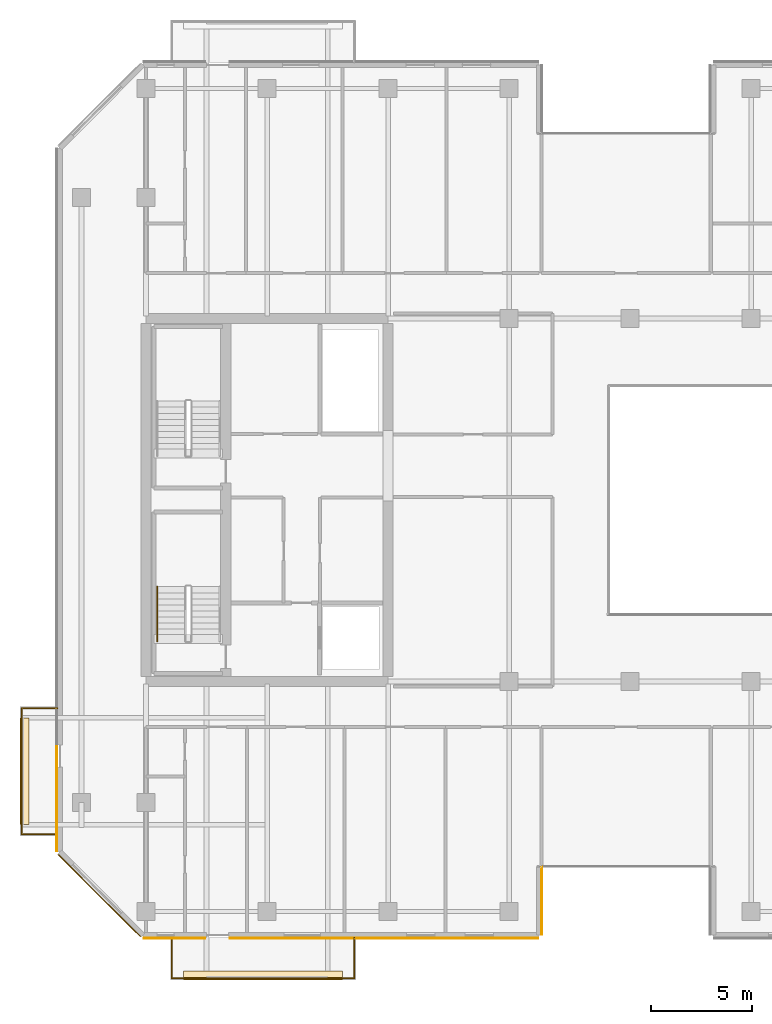
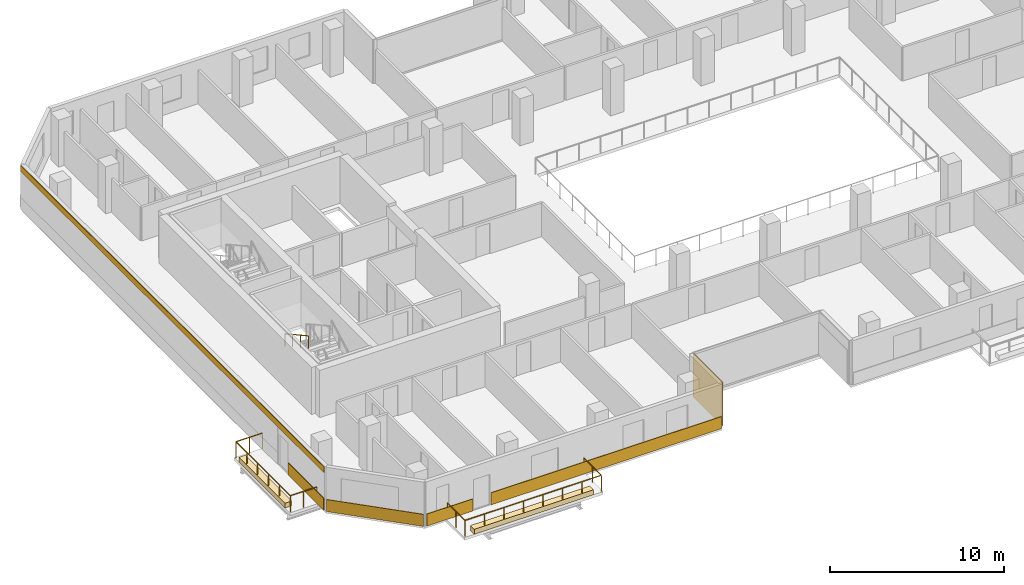
# One storey, part 16 of 19: 8 coverings, 3 railings.
"""IFC4 building model written with IfcOpenShell, lengths in metres."""

from ifc_helpers import new_model, si_unit, direction, frame, origin, origin_2d, place, context, subcontext, project, spatial, polyline, rectangle, outline, extrude, material, layer, layer_set, type_object, element, save


model = new_model("IFC4")

# Units and contexts
model_context = context("Model", 3, precision=1e-05, world=origin(), true_north=direction((0.0, 1.0)))
body_context = subcontext(model_context, "Body", "Model", "MODEL_VIEW")
ifc_project = project(units=[si_unit("LENGTHUNIT", "METRE"), si_unit("AREAUNIT", "SQUARE_METRE"), si_unit("VOLUMEUNIT", "CUBIC_METRE"), si_unit("PLANEANGLEUNIT", "RADIAN"), si_unit("MASSUNIT", "GRAM", prefix="KILO")], contexts=[model_context])

# Site, building, storey
site_placement = place(None, origin())
site = spatial("IfcSite", under=ifc_project, at=site_placement, CompositionType="ELEMENT")
building_placement = place(site_placement, origin())
building = spatial("IfcBuilding", under=site, at=building_placement, Name="Tanjung Sevakor Pilgrim Tower", CompositionType="ELEMENT")
storey_placement = place(building_placement, frame((0.0, 0.0, 138.60009765625)))
storey = spatial("IfcBuildingStorey", under=building, at=storey_placement, Name="L38", CompositionType="ELEMENT", Elevation=138.60009765625)

# Coverings
ifc_material_1 = material(Name="Reconstructed Limestone Cladding", Category="masonry")
ifc_layer_1 = layer(ifc_material_1, 0.044921875)
ifc_layer_set_1 = layer_set([ifc_layer_1], Name="COV-CLAD-LIMESTONE")
covering_type_1 = type_object("IfcCoveringType", Name="COV-CLAD-LIMESTONE", PredefinedType="CLADDING", material=ifc_layer_set_1)
covering_1_placement = place(storey_placement, frame((25.416015625, 11.87744140625, 0.009765625), z_axis=(0.0, 0.0, 1.0), x_axis=(1.0, 0.0, 0.0)))
element("IfcCovering", 1, at=covering_1_placement, inside=storey, type_object=covering_type_1, Name="L38 Warm Limestone Sill Spandrel EW-L38-MAIN-1-1", PredefinedType="CLADDING", context=body_context, shape_type="SweptSolid", body=[
    extrude(rectangle(XDim=3.048095703125, YDim=0.044921875, at=origin_2d()), origin(), (0.0, 0.0, 1.0), 0.840087890625),
])
covering_2_placement = place(storey_placement, frame((35.797607421875, 11.87744140625, 0.009765625), z_axis=(0.0, 0.0, 1.0), x_axis=(1.0, 0.0, 0.0)))
element("IfcCovering", 2, at=covering_2_placement, inside=storey, type_object=covering_type_1, Name="L38 Warm Limestone Sill Spandrel EW-L38-MAIN-1-2", PredefinedType="CLADDING", context=body_context, shape_type="SweptSolid", body=[
    extrude(rectangle(XDim=15.27490234375, YDim=0.044921875, at=origin_2d()), origin(), (0.0, 0.0, 1.0), 0.840087890625),
])
covering_3_placement = place(storey_placement, frame((43.62255859375, 13.72509765625, 0.019775390625), z_axis=(0.0, 0.0, 1.0), x_axis=(0.0, 1.0, 0.0)))
element("IfcCovering", 3, at=covering_3_placement, inside=storey, type_object=covering_type_1, Name="L38 Warm Limestone Wall Cladding EW-L38-MAIN-2", PredefinedType="CLADDING", context=body_context, shape_type="SweptSolid", body=[
    extrude(rectangle(XDim=3.360107421875, YDim=0.044921875, at=origin_2d()), origin(), (0.0, 0.0, 1.0), 3.0400390625),
])
covering_4_placement = place(storey_placement, frame((19.577392578125, 18.240966796875, 0.009765625), z_axis=(0.0, 0.0, 1.0), x_axis=(0.0, -1.0, 0.0)))
element("IfcCovering", 4, at=covering_4_placement, inside=storey, type_object=covering_type_1, Name="L38 Warm Limestone Sill Spandrel EW-L38-MAIN-15-2", PredefinedType="CLADDING", context=body_context, shape_type="SweptSolid", body=[
    extrude(rectangle(XDim=4.09814453125, YDim=0.044921875, at=origin_2d()), origin(), (0.0, 0.0, 1.0), 0.840087890625),
])
covering_5_placement = place(storey_placement, frame((19.577392578125, 33.60009765625, 2.66015625), z_axis=(0.0, 0.0, 1.0), x_axis=(0.0, -1.0, 0.0)))
element("IfcCovering", 5, at=covering_5_placement, inside=storey, type_object=covering_type_1, Name="L38 Warm Limestone Cornice Spandrel EW-L38-MAIN-15", PredefinedType="CLADDING", context=body_context, shape_type="SweptSolid", body=[
    extrude(rectangle(XDim=34.8564453125, YDim=0.044921875, at=origin_2d()), origin(), (0.0, 0.0, 1.0), 0.409912109375),
])
covering_6_placement = place(storey_placement, frame((21.68408203125, 13.984130859375, 0.009765625), z_axis=(0.0, 0.0, 1.0), x_axis=(0.707106781187, -0.707106781187, 0.0)))
element("IfcCovering", 6, at=covering_6_placement, inside=storey, type_object=covering_type_1, Name="L38 Warm Limestone Sill Spandrel EW-CHM-L38-MAIN-15-1", PredefinedType="CLADDING", context=body_context, shape_type="SweptSolid", body=[
    extrude(rectangle(XDim=5.756103515625, YDim=0.044921875, at=origin_2d()), origin(), (0.0, 0.0, 1.0), 0.840087890625),
])
ifc_material_2 = material(Name="Vegetated Modular Planter Assembly", Category="organic")
ifc_layer_2 = layer(ifc_material_2, 0.35009765625)
ifc_layer_set_2 = layer_set([ifc_layer_2], Name="COV-GRN-TROUGH")
covering_type_2 = type_object("IfcCoveringType", Name="COV-GRN-TROUGH", PredefinedType="CLADDING", material=ifc_layer_set_2)
covering_7_placement = place(storey_placement, origin())
element("IfcCovering", 7, at=covering_7_placement, inside=storey, type_object=covering_type_2, Name="L38 Planted Landscape Hedge Trough BGRN-L38-MAIN-S1", PredefinedType="CLADDING", context=body_context, shape_type="SweptSolid", body=[
    extrude(outline(polyline([(25.85009765625, 9.800048828125), (33.75, 9.800048828125), (33.75, 10.239990234375), (25.85009765625, 10.239990234375), (25.85009765625, 9.800048828125)])), origin(), (0.0, 0.0, 1.0), 0.349853515625),
])
covering_8_placement = place(storey_placement, origin())
element("IfcCovering", 8, at=covering_8_placement, inside=storey, type_object=covering_type_2, Name="L38 Planted Landscape Hedge Trough BGRN-L38-MAIN-W1", PredefinedType="CLADDING", context=body_context, shape_type="SweptSolid", body=[
    extrude(outline(polyline([(18.18994140625, 17.5), (18.18994140625, 22.800048828125), (17.75, 22.800048828125), (17.75, 17.5), (18.18994140625, 17.5)])), origin(), (0.0, 0.0, 1.0), 0.349853515625),
])

# Railings
ifc_material_3 = material(Name="Laminated Glass and Aluminium", Category="aluminium")
railing_type_1 = type_object("IfcRailingType", Name="RL-BAL-BALUST", PredefinedType="BALUSTRADE", material=ifc_material_3)
railing_1_placement = place(storey_placement, frame((25.280029296875, 11.89990234375, 0.0)))
element("IfcRailing", 9, at=railing_1_placement, inside=storey, type_object=railing_type_1, Name="L38 Loggia Balustrade MAIN-S1", PredefinedType="BALUSTRADE", context=body_context, shape_type="SweptSolid", body=[
    extrude(rectangle(XDim=0.0479, YDim=0.0479), frame((0.0, 0.0, 1.1259765625), z_axis=(0.0, -1.0, 0.0), x_axis=(1.0, 0.0, 0.0)), (0.0, 0.0, 1.0), 2.02001953125),
    extrude(rectangle(XDim=0.0479, YDim=0.0479), frame((0.0, -2.02001953125, 1.1259765625), z_axis=(1.0, 0.0, 0.0), x_axis=(0.0, 1.0, 0.0)), (0.0, 0.0, 1.0), 9.0400390625),
    extrude(rectangle(XDim=0.0479, YDim=0.0479), frame((9.0400390625, -2.02001953125, 1.1259765625), z_axis=(0.0, 1.0, 0.0), x_axis=(-1.0, 0.0, 0.0)), (0.0, 0.0, 1.0), 2.02001953125),
    extrude(rectangle(XDim=0.042, YDim=0.042), origin(), (0.0, 0.0, 1.0), 1.101806640625),
    extrude(rectangle(XDim=0.042, YDim=0.042), frame((0.0, -1.010009765625, 0.0)), (0.0, 0.0, 1.0), 1.101806640625),
    extrude(rectangle(XDim=0.042, YDim=0.042), frame((0.0, -2.02001953125, 0.0)), (0.0, 0.0, 1.0), 1.101806640625),
    extrude(rectangle(XDim=0.042, YDim=0.042), frame((1.29150390625, -2.02001953125, 0.0)), (0.0, 0.0, 1.0), 1.101806640625),
    extrude(rectangle(XDim=0.042, YDim=0.042), frame((2.582763671875, -2.02001953125, 0.0)), (0.0, 0.0, 1.0), 1.101806640625),
    extrude(rectangle(XDim=0.042, YDim=0.042), frame((3.874267578125, -2.02001953125, 0.0)), (0.0, 0.0, 1.0), 1.101806640625),
    extrude(rectangle(XDim=0.042, YDim=0.042), frame((5.165771484375, -2.02001953125, 0.0)), (0.0, 0.0, 1.0), 1.101806640625),
    extrude(rectangle(XDim=0.042, YDim=0.042), frame((6.457275390625, -2.02001953125, 0.0)), (0.0, 0.0, 1.0), 1.101806640625),
    extrude(rectangle(XDim=0.042, YDim=0.042), frame((7.74853515625, -2.02001953125, 0.0)), (0.0, 0.0, 1.0), 1.101806640625),
    extrude(rectangle(XDim=0.042, YDim=0.042), frame((9.0400390625, -2.02001953125, 0.0)), (0.0, 0.0, 1.0), 1.101806640625),
    extrude(rectangle(XDim=0.042, YDim=0.042), frame((9.0400390625, -1.010009765625, 0.0)), (0.0, 0.0, 1.0), 1.101806640625),
    extrude(rectangle(XDim=0.042, YDim=0.042), frame((9.0400390625, 0.0, 0.0)), (0.0, 0.0, 1.0), 1.101806640625),
])
railing_2_placement = place(storey_placement, frame((19.60009765625, 17.030029296875, 0.0)))
element("IfcRailing", 10, at=railing_2_placement, inside=storey, type_object=railing_type_1, Name="L38 Loggia Balustrade MAIN-W1", PredefinedType="BALUSTRADE", context=body_context, shape_type="SweptSolid", body=[
    extrude(rectangle(XDim=0.0479, YDim=0.0479), frame((0.0, 0.0, 1.1259765625), z_axis=(-1.0, 0.0, 0.0), x_axis=(0.0, -1.0, 0.0)), (0.0, 0.0, 1.0), 1.77001953125),
    extrude(rectangle(XDim=0.0479, YDim=0.0479), frame((-1.77001953125, 0.0, 1.1259765625), z_axis=(0.0, 1.0, 0.0), x_axis=(-1.0, 0.0, 0.0)), (0.0, 0.0, 1.0), 6.239990234375),
    extrude(rectangle(XDim=0.0479, YDim=0.0479), frame((-1.77001953125, 6.239990234375, 1.1259765625), z_axis=(1.0, 0.0, 0.0), x_axis=(0.0, 1.0, 0.0)), (0.0, 0.0, 1.0), 1.77001953125),
    extrude(rectangle(XDim=0.042, YDim=0.042), origin(), (0.0, 0.0, 1.0), 1.101806640625),
    extrude(rectangle(XDim=0.042, YDim=0.042), frame((-0.885009765625, 0.0, 0.0)), (0.0, 0.0, 1.0), 1.101806640625),
    extrude(rectangle(XDim=0.042, YDim=0.042), frame((-1.77001953125, 0.0, 0.0)), (0.0, 0.0, 1.0), 1.101806640625),
    extrude(rectangle(XDim=0.042, YDim=0.042), frame((-1.77001953125, 1.248046875, 0.0)), (0.0, 0.0, 1.0), 1.101806640625),
    extrude(rectangle(XDim=0.042, YDim=0.042), frame((-1.77001953125, 2.49609375, 0.0)), (0.0, 0.0, 1.0), 1.101806640625),
    extrude(rectangle(XDim=0.042, YDim=0.042), frame((-1.77001953125, 3.743896484375, 0.0)), (0.0, 0.0, 1.0), 1.101806640625),
    extrude(rectangle(XDim=0.042, YDim=0.042), frame((-1.77001953125, 4.991943359375, 0.0)), (0.0, 0.0, 1.0), 1.101806640625),
    extrude(rectangle(XDim=0.042, YDim=0.042), frame((-1.77001953125, 6.239990234375, 0.0)), (0.0, 0.0, 1.0), 1.101806640625),
    extrude(rectangle(XDim=0.042, YDim=0.042), frame((-0.885009765625, 6.239990234375, 0.0)), (0.0, 0.0, 1.0), 1.101806640625),
    extrude(rectangle(XDim=0.042, YDim=0.042), frame((0.0, 6.239990234375, 0.0)), (0.0, 0.0, 1.0), 1.101806640625),
])
ifc_material_4 = material(Name="Steel S355J2", Category="steel")
railing_type_2 = type_object("IfcRailingType", Name="RL-STAIR-HAND", PredefinedType="HANDRAIL", material=ifc_material_4)
railing_3_placement = place(storey_placement, frame((24.550048828125, 29.300048828125, 1.81494140625)))
element("IfcRailing", 11, at=railing_3_placement, inside=storey, type_object=railing_type_2, Name="L38 TS-W1 stair handrail 2", PredefinedType="HANDRAIL", context=body_context, shape_type="SweptSolid", body=[
    extrude(rectangle(XDim=0.0479, YDim=0.0479), frame((0.0, 0.0, 0.8759765625), z_axis=(0.0, -0.876230963923, 0.481891375584), x_axis=(1.0, 0.0, 0.0)), (0.0, 0.0, 1.0), 3.081298828125),
    extrude(rectangle(XDim=0.042, YDim=0.042), origin(), (0.0, 0.0, 1.0), 0.851806640625),
    extrude(rectangle(XDim=0.042, YDim=0.042), frame((0.0, -0.89990234375, 0.494873046875)), (0.0, 0.0, 1.0), 0.851806640625),
    extrude(rectangle(XDim=0.042, YDim=0.042), frame((0.0, -1.800048828125, 0.989990234375)), (0.0, 0.0, 1.0), 0.851806640625),
    extrude(rectangle(XDim=0.042, YDim=0.042), frame((0.0, -2.699951171875, 1.48486328125)), (0.0, 0.0, 1.0), 0.851806640625),
])

save(model, "model.ifc")
